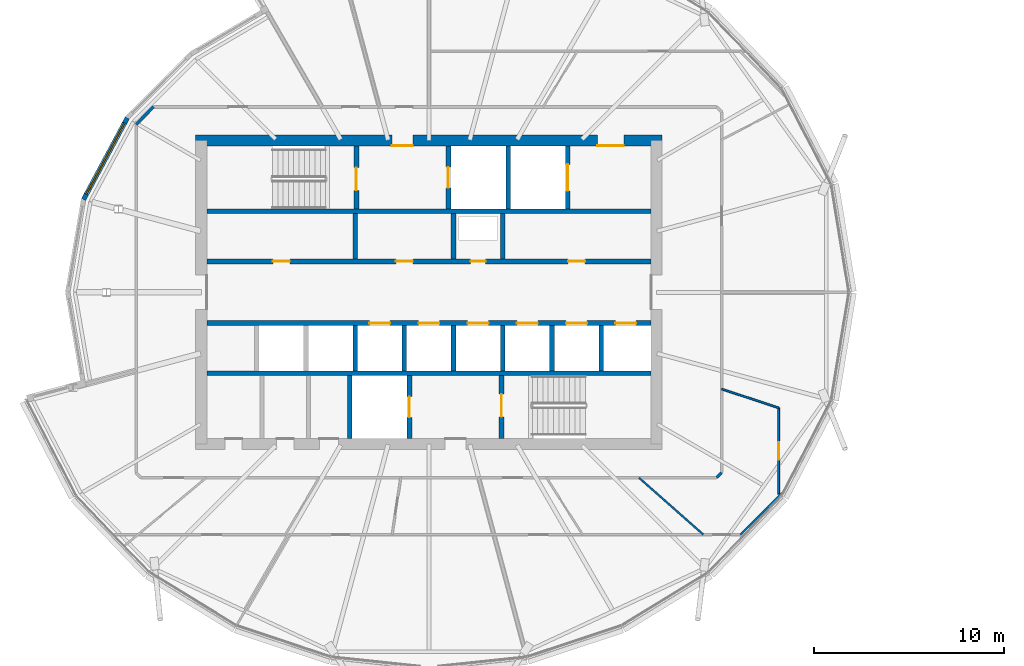
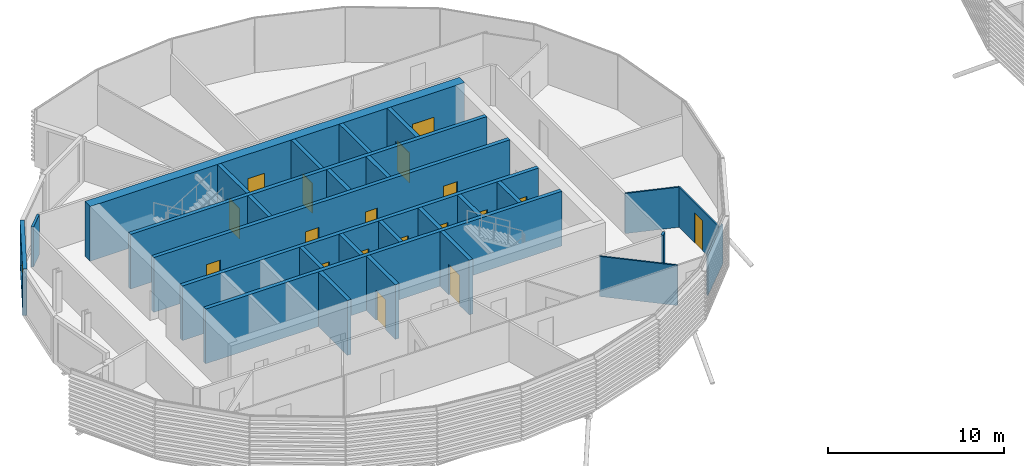
# One storey, part 19 of 37: 28 walls, 18 doors, 1 window, 19 openings.
"""IFC4 building model written with IfcOpenShell, lengths in metres."""

from ifc_helpers import new_model, si_unit, direction, frame, frame_2d, origin, place, context, subcontext, project, spatial, rectangle, extrude, material, layer, layer_set, type_object, element, fill, save


model = new_model("IFC4")

# Units and contexts
model_context = context("Model", 3, precision=1e-05, world=origin(), true_north=direction((0.0, 1.0)))
body_context = subcontext(model_context, "Body", "Model", "MODEL_VIEW")
ifc_project = project(units=[si_unit("LENGTHUNIT", "METRE"), si_unit("AREAUNIT", "SQUARE_METRE"), si_unit("VOLUMEUNIT", "CUBIC_METRE"), si_unit("PLANEANGLEUNIT", "RADIAN"), si_unit("MASSUNIT", "GRAM", prefix="KILO")], contexts=[model_context])

# Site, building, storey
site_placement = place(None, origin())
site = spatial("IfcSite", under=ifc_project, at=site_placement, CompositionType="ELEMENT")
building_placement = place(site_placement, origin())
building = spatial("IfcBuilding", under=site, at=building_placement, Name="Rimbun Link Towers", CompositionType="ELEMENT")
storey_placement = place(building_placement, frame((0.0, 0.0, 177.89990234375)))
storey = spatial("IfcBuildingStorey", under=building, at=storey_placement, Name="L43", CompositionType="ELEMENT", Elevation=177.89990234375)

# Wall, opening, window
ifc_material_1 = material(Name="Dark enamelled glass spandrel on insulated aluminium backpan", Category="aluminium")
ifc_layer_1 = layer(ifc_material_1, 0.25)
ifc_layer_set_1 = layer_set([ifc_layer_1], Name="CS dark enamelled spandrel wall 250")
wall_type_1 = type_object("IfcWallType", Name="CS dark enamelled spandrel wall 250", PredefinedType="STANDARD", material=ifc_layer_set_1)
wall_1_placement = place(storey_placement, frame((-49.9638671875, 4.889404296875, 0.0), z_axis=(0.0, 0.0, 1.0), x_axis=(0.472458338274, 0.881353004531, 0.0)))
wall_1 = element("IfcWall", 1, at=wall_1_placement, inside=storey, type_object=wall_type_1, Name="Crease spandrel wall", PredefinedType="STANDARD", context=body_context, shape_type="SweptSolid", body=[
    extrude(rectangle(XDim=4.889404296875, YDim=0.25, at=frame_2d((2.44482421875, 0.0))), origin(), (0.0, 0.0, 1.0), 3.233642578125),
])
opening_1_placement = place(wall_1_placement, frame((0.31982421875, 0.0, 0.300048828125)))
opening_1 = element("IfcOpeningElement", 2, at=opening_1_placement, cuts=wall_1, Name="Opening WR42H270", PredefinedType="OPENING", context=body_context, shape_type="SweptSolid", body=[
    extrude(rectangle(XDim=4.25, YDim=2.699951171875, at=frame_2d((2.125, 1.35009765625))), frame((0.0, 0.135009765625, 0.0), z_axis=(0.0, -1.0, 0.0), x_axis=(1.0, 0.0, 0.0)), (0.0, 0.0, 1.0), 0.27001953125),
])
ifc_material_2 = material(Name="Aluminium framed fixed window, dark tinted low-e glass", Category="aluminium")
window_type = type_object("IfcWindowType", Name="WR ribbon window 4250X2700", PartitioningType="SINGLE_PANEL", PredefinedType="WINDOW", material=ifc_material_2)
window_placement = place(opening_1_placement, origin())
window = element("IfcWindow", 3, at=window_placement, inside=storey, type_object=window_type, Name="Crease ribbon window", OverallHeight=2.699951171875, OverallWidth=4.25, PartitioningType="SINGLE_PANEL", PredefinedType="WINDOW", context=body_context, shape_type="SweptSolid", body=[
    extrude(rectangle(XDim=4.25, YDim=2.699951171875, at=frame_2d((2.125, 1.35009765625))), frame((0.0, 0.030029296875, 0.0), z_axis=(0.0, -1.0, 0.0), x_axis=(1.0, 0.0, 0.0)), (0.0, 0.0, 1.0), 0.06005859375),
])
fill(opening_1, window)

# Wall, openings, doors
ifc_material_3 = material(Name="Concrete C60/75", Category="concrete")
ifc_layer_2 = layer(ifc_material_3, 0.60009765625)
ifc_layer_set_2 = layer_set([ifc_layer_2], Name="Core shear wall 600")
wall_type_2 = type_object("IfcWallType", Name="Core shear wall 600", PredefinedType="SHEAR", material=ifc_layer_set_2)
wall_2_placement = place(storey_placement, frame((-44.050048828125, 8.0, 0.0), z_axis=(0.0, 0.0, 1.0), x_axis=(1.0, 0.0, 0.0)))
wall_2 = element("IfcWall", 4, at=wall_2_placement, inside=storey, type_object=wall_type_2, Name="L43 T1 core wall N", PredefinedType="SHEAR", context=body_context, shape_type="SweptSolid", body=[
    extrude(rectangle(XDim=24.60009765625, YDim=0.60009765625, at=frame_2d((12.300048828125, 0.0))), origin(), (0.0, 0.0, 1.0), 3.800048828125),
])
opening_2_placement = place(wall_2_placement, frame((10.35009765625, 0.0, 0.0)))
opening_2 = element("IfcOpeningElement", 5, at=opening_2_placement, cuts=wall_2, Name="Opening C1DCF01N", PredefinedType="OPENING", context=body_context, shape_type="SweptSolid", body=[
    extrude(rectangle(XDim=1.10009765625, YDim=2.10009765625, at=frame_2d((0.550048828125, 1.050048828125))), frame((0.0, 0.31005859375, 0.0), z_axis=(0.0, -1.0, 0.0), x_axis=(1.0, 0.0, 0.0)), (0.0, 0.0, 1.0), 0.6201171875),
])
opening_3_placement = place(wall_2_placement, frame((21.175048828125, 0.0, 0.0)))
opening_3 = element("IfcOpeningElement", 6, at=opening_3_placement, cuts=wall_2, Name="Opening C1DSL02N", PredefinedType="OPENING", context=body_context, shape_type="SweptSolid", body=[
    extrude(rectangle(XDim=1.39990234375, YDim=2.10009765625, at=frame_2d((0.699951171875, 1.050048828125))), frame((0.0, 0.31005859375, 0.0), z_axis=(0.0, -1.0, 0.0), x_axis=(1.0, 0.0, 0.0)), (0.0, 0.0, 1.0), 0.6201171875),
])
ifc_material_4 = material(Name="Steel fire door set", Category="steel")
door_type_1 = type_object("IfcDoorType", Name="Core fire door single", OperationType="SINGLE_SWING_LEFT", PredefinedType="DOOR", material=ifc_material_4)
door_1_placement = place(opening_2_placement, origin())
door_1 = element("IfcDoor", 7, at=door_1_placement, inside=storey, type_object=door_type_1, Name="L43 T1 firefighting lobby n door", OperationType="SINGLE_SWING_LEFT", OverallHeight=2.10009765625, OverallWidth=1.10009765625, PredefinedType="DOOR", context=body_context, shape_type="SweptSolid", body=[
    extrude(rectangle(XDim=1.10009765625, YDim=2.10009765625, at=frame_2d((0.550048828125, 1.050048828125))), frame((0.0, -0.25, 0.0), z_axis=(0.0, -1.0, 0.0), x_axis=(1.0, 0.0, 0.0)), (0.0, 0.0, 1.0), 0.050048828125),
])
fill(opening_2, door_1)
ifc_material_5 = material(Name="Steel fire door set", Category="steel")
door_type_2 = type_object("IfcDoorType", Name="Service lobby door double", OperationType="DOUBLE_DOOR_SINGLE_SWING", PredefinedType="DOOR", material=ifc_material_5)
door_2_placement = place(opening_3_placement, origin())
door_2 = element("IfcDoor", 8, at=door_2_placement, inside=storey, type_object=door_type_2, Name="L43 T1 service lobby door", OperationType="DOUBLE_DOOR_SINGLE_SWING", OverallHeight=2.10009765625, OverallWidth=1.39990234375, PredefinedType="DOOR", context=body_context, shape_type="SweptSolid", body=[
    extrude(rectangle(XDim=1.39990234375, YDim=2.10009765625, at=frame_2d((0.699951171875, 1.050048828125))), frame((0.0, -0.25, 0.0), z_axis=(0.0, -1.0, 0.0), x_axis=(1.0, 0.0, 0.0)), (0.0, 0.0, 1.0), 0.050048828125),
])
fill(opening_3, door_2)

# Walls
ifc_material_6 = material(Name="Plasterboard on steel stud, mineral wool", Category="steel")
ifc_layer_3 = layer(ifc_material_6, 0.14990234375)
ifc_layer_set_3 = layer_set([ifc_layer_3], Name="Corridor wall EI 30 150 mm")
wall_type_3 = type_object("IfcWallType", Name="Corridor wall EI 30 150 mm", PredefinedType="PARTITIONING", material=ifc_layer_set_3)
wall_3_placement = place(storey_placement, frame((-16.576416015625, -9.77490234375, 0.0), z_axis=(0.0, 0.0, 1.0), x_axis=(0.707436973419, 0.706776434695, 0.0)))
element("IfcWall", 9, at=wall_3_placement, inside=storey, type_object=wall_type_3, Name="Corridor wall EI 30 150 mm", PredefinedType="PARTITIONING", context=body_context, shape_type="SweptSolid", body=[
    extrude(rectangle(XDim=0.36962890625, YDim=0.14990234375, at=frame_2d((0.184814453125, 0.0))), origin(), (0.0, 0.0, 1.0), 2.7890625),
])
wall_4_placement = place(storey_placement, frame((-46.267578125, 9.77490234375, 0.0), z_axis=(0.0, 0.0, 1.0), x_axis=(-0.705978721468, -0.708233044155, 0.0)))
element("IfcWall", 10, at=wall_4_placement, inside=storey, type_object=wall_type_3, Name="Corridor wall EI 30 150 mm", PredefinedType="PARTITIONING", context=body_context, shape_type="SweptSolid", body=[
    extrude(rectangle(XDim=1.299560546875, YDim=0.14990234375, at=frame_2d((0.64990234375, 0.0))), origin(), (0.0, 0.0, 1.0), 2.7890625),
])
ifc_material_7 = material(Name="Plasterboard on steel stud", Category="steel")
ifc_layer_4 = layer(ifc_material_7, 0.10009765625)
ifc_layer_set_4 = layer_set([ifc_layer_4], Name="Plasterboard partition 100 mm")
wall_type_4 = type_object("IfcWallType", Name="Plasterboard partition 100 mm", PredefinedType="PARTITIONING", material=ifc_layer_set_4)
wall_5_placement = place(storey_placement, frame((-17.28271484375, -12.77490234375, 0.0), z_axis=(0.0, 0.0, 1.0), x_axis=(-0.749592579508, 0.661899512575, 0.0)))
element("IfcWall", 11, at=wall_5_placement, inside=storey, type_object=wall_type_4, Name="Plasterboard partition 100 mm", PredefinedType="PARTITIONING", context=body_context, shape_type="SweptSolid", body=[
    extrude(rectangle(XDim=4.532470703125, YDim=0.10009765625, at=frame_2d((2.26611328125, 0.0))), origin(), (0.0, 0.0, 1.0), 2.7890625),
])
wall_6_placement = place(storey_placement, frame((-15.333740234375, -12.77490234375, 0.0), z_axis=(0.0, 0.0, 1.0), x_axis=(0.707144615627, 0.707068944721, 0.0)))
element("IfcWall", 12, at=wall_6_placement, inside=storey, type_object=wall_type_4, Name="Plasterboard partition 100 mm", PredefinedType="PARTITIONING", context=body_context, shape_type="SweptSolid", body=[
    extrude(rectangle(XDim=3.226318359375, YDim=0.10009765625, at=frame_2d((1.61328125, 0.0))), origin(), (0.0, 0.0, 1.0), 2.7890625),
])

# Wall, opening, door
wall_7_placement = place(storey_placement, frame((-13.31494140625, -6.08984375, 0.0), z_axis=(0.0, 0.0, 1.0), x_axis=(0.0, -1.0, 0.0)))
wall_7 = element("IfcWall", 13, at=wall_7_placement, inside=storey, type_object=wall_type_4, Name="Plasterboard partition 100 mm", PredefinedType="PARTITIONING", context=body_context, shape_type="SweptSolid", body=[
    extrude(rectangle(XDim=4.5537109375, YDim=0.10009765625, at=frame_2d((2.27685546875, 0.0))), origin(), (0.0, 0.0, 1.0), 2.7890625),
])
opening_4_placement = place(wall_7_placement, frame((1.826904296875, 0.0, 0.0)))
opening_4 = element("IfcOpeningElement", 14, at=opening_4_placement, cuts=wall_7, Name="Opening D04", PredefinedType="OPENING", context=body_context, shape_type="SweptSolid", body=[
    extrude(rectangle(XDim=0.89990234375, YDim=2.10009765625, at=frame_2d((0.449951171875, 1.050048828125))), frame((0.0, 0.06005859375, 0.0), z_axis=(0.0, -1.0, 0.0), x_axis=(1.0, 0.0, 0.0)), (0.0, 0.0, 1.0), 0.1201171875),
])
ifc_material_8 = material(Name="Timber door leaf", Category="wood")
door_type_3 = type_object("IfcDoorType", Name="Flush door 900", OperationType="NOTDEFINED", PredefinedType="DOOR", material=ifc_material_8)
door_3_placement = place(opening_4_placement, origin())
door_3 = element("IfcDoor", 15, at=door_3_placement, inside=storey, type_object=door_type_3, Name="Flush door 900 to Project room", OperationType="SINGLE_SWING_RIGHT", OverallHeight=2.10009765625, OverallWidth=0.89990234375, PredefinedType="DOOR", context=body_context, shape_type="SweptSolid", body=[
    extrude(rectangle(XDim=0.89990234375, YDim=2.10009765625, at=frame_2d((0.449951171875, 1.050048828125))), frame((0.0, 0.02490234375, 0.0), z_axis=(0.0, -1.0, 0.0), x_axis=(1.0, 0.0, 0.0)), (0.0, 0.0, 1.0), 0.050048828125),
])
fill(opening_4, door_3)

# Walls
wall_8_placement = place(storey_placement, frame((-13.31494140625, -6.08984375, 0.0), z_axis=(0.0, 0.0, 1.0), x_axis=(-0.949537544807, 0.313653393097, 0.0)))
element("IfcWall", 16, at=wall_8_placement, inside=storey, type_object=wall_type_4, Name="Plasterboard partition 100 mm", PredefinedType="PARTITIONING", context=body_context, shape_type="SweptSolid", body=[
    extrude(rectangle(XDim=3.159423828125, YDim=0.10009765625, at=frame_2d((1.57958984375, 0.0))), origin(), (0.0, 0.0, 1.0), 2.7890625),
])
ifc_material_9 = material(Name="Concrete C60/75", Category="concrete")
ifc_layer_5 = layer(ifc_material_9, 0.25)
ifc_layer_set_5 = layer_set([ifc_layer_5], Name="Shaft wall 250")
wall_type_5 = type_object("IfcWallType", Name="Shaft wall 250", PredefinedType="SHEAR", material=ifc_layer_set_5)
for number, where, z_axis, x_axis, name in (
    (17, (-43.449951171875, 4.27490234375, 0.0), (0.0, 0.0, 1.0), (1.0, 0.0, 0.0), "L43 T1 core wall BN"),
    (18, (-43.449951171875, -4.27490234375, 0.0), (0.0, 0.0, 1.0), (1.0, 0.0, 0.0), "L43 T1 core wall BS"),
):
    element("IfcWall", number, at=place(storey_placement, frame(where, z_axis=z_axis, x_axis=x_axis)), inside=storey, type_object=wall_type_5, Name=name, PredefinedType="SHEAR", context=body_context, shape_type="SweptSolid", body=[
        extrude(rectangle(XDim=23.39990234375, YDim=0.25, at=frame_2d((11.699951171875, 0.0))), origin(), (0.0, 0.0, 1.0), 3.800048828125),
    ])

# Wall, openings, doors
wall_9_placement = place(storey_placement, frame((-43.449951171875, 1.625, 0.0), z_axis=(0.0, 0.0, 1.0), x_axis=(1.0, 0.0, 0.0)))
wall_9 = element("IfcWall", 19, at=wall_9_placement, inside=storey, type_object=wall_type_5, Name="L43 T1 core wall FN", PredefinedType="SHEAR", context=body_context, shape_type="SweptSolid", body=[
    extrude(rectangle(XDim=23.39990234375, YDim=0.25, at=frame_2d((11.699951171875, 0.0))), origin(), (0.0, 0.0, 1.0), 3.800048828125),
])
opening_5_placement = place(wall_9_placement, frame((3.466796875, 0.0, 0.0)))
opening_5 = element("IfcOpeningElement", 20, at=opening_5_placement, cuts=wall_9, Name="Opening C1DRS01FN", PredefinedType="OPENING", context=body_context, shape_type="SweptSolid", body=[
    extrude(rectangle(XDim=0.89990234375, YDim=2.10009765625, at=frame_2d((0.449951171875, 1.050048828125))), frame((0.0, 0.135009765625, 0.0), z_axis=(0.0, -1.0, 0.0), x_axis=(1.0, 0.0, 0.0)), (0.0, 0.0, 1.0), 0.27001953125),
])
opening_6_placement = place(wall_9_placement, frame((9.952880859375, 0.0, 0.0)))
opening_6 = element("IfcOpeningElement", 21, at=opening_6_placement, cuts=wall_9, Name="Opening C1DRS02FN", PredefinedType="OPENING", context=body_context, shape_type="SweptSolid", body=[
    extrude(rectangle(XDim=0.89990234375, YDim=2.10009765625, at=frame_2d((0.449951171875, 1.050048828125))), frame((0.0, 0.135009765625, 0.0), z_axis=(0.0, -1.0, 0.0), x_axis=(1.0, 0.0, 0.0)), (0.0, 0.0, 1.0), 0.27001953125),
])
opening_7_placement = place(wall_9_placement, frame((13.894287109375, 0.0, 0.0)))
opening_7 = element("IfcOpeningElement", 22, at=opening_7_placement, cuts=wall_9, Name="Opening C1DRA03FN", PredefinedType="OPENING", context=body_context, shape_type="SweptSolid", body=[
    extrude(rectangle(XDim=0.800048828125, YDim=2.10009765625, at=frame_2d((0.39990234375, 1.050048828125))), frame((0.0, 0.135009765625, 0.0), z_axis=(0.0, -1.0, 0.0), x_axis=(1.0, 0.0, 0.0)), (0.0, 0.0, 1.0), 0.27001953125),
])
opening_8_placement = place(wall_9_placement, frame((19.033203125, 0.0, 0.0)))
opening_8 = element("IfcOpeningElement", 23, at=opening_8_placement, cuts=wall_9, Name="Opening C1DRS04FN", PredefinedType="OPENING", context=body_context, shape_type="SweptSolid", body=[
    extrude(rectangle(XDim=0.89990234375, YDim=2.10009765625, at=frame_2d((0.449951171875, 1.050048828125))), frame((0.0, 0.135009765625, 0.0), z_axis=(0.0, -1.0, 0.0), x_axis=(1.0, 0.0, 0.0)), (0.0, 0.0, 1.0), 0.27001953125),
])
ifc_material_10 = material(Name="Steel fire door set", Category="steel")
door_type_4 = type_object("IfcDoorType", Name="Core riser door", OperationType="SINGLE_SWING_LEFT", PredefinedType="DOOR", material=ifc_material_10)
door_4_placement = place(opening_5_placement, origin())
door_4 = element("IfcDoor", 24, at=door_4_placement, inside=storey, type_object=door_type_4, Name="L43 T1 plant room door", OperationType="SINGLE_SWING_LEFT", OverallHeight=2.10009765625, OverallWidth=0.89990234375, PredefinedType="DOOR", context=body_context, shape_type="SweptSolid", body=[
    extrude(rectangle(XDim=0.89990234375, YDim=2.10009765625, at=frame_2d((0.449951171875, 1.050048828125))), frame((0.0, 0.02490234375, 0.0), z_axis=(0.0, -1.0, 0.0), x_axis=(1.0, 0.0, 0.0)), (0.0, 0.0, 1.0), 0.050048828125),
])
fill(opening_5, door_4)
door_5_placement = place(opening_6_placement, origin())
door_5 = element("IfcDoor", 25, at=door_5_placement, inside=storey, type_object=door_type_4, Name="L43 T1 pantry door", OperationType="SINGLE_SWING_LEFT", OverallHeight=2.10009765625, OverallWidth=0.89990234375, PredefinedType="DOOR", context=body_context, shape_type="SweptSolid", body=[
    extrude(rectangle(XDim=0.89990234375, YDim=2.10009765625, at=frame_2d((0.449951171875, 1.050048828125))), frame((0.0, 0.02490234375, 0.0), z_axis=(0.0, -1.0, 0.0), x_axis=(1.0, 0.0, 0.0)), (0.0, 0.0, 1.0), 0.050048828125),
])
fill(opening_6, door_5)
door_6_placement = place(opening_8_placement, origin())
door_6 = element("IfcDoor", 26, at=door_6_placement, inside=storey, type_object=door_type_4, Name="L43 T1 plant room door", OperationType="SINGLE_SWING_RIGHT", OverallHeight=2.10009765625, OverallWidth=0.89990234375, PredefinedType="DOOR", context=body_context, shape_type="SweptSolid", body=[
    extrude(rectangle(XDim=0.89990234375, YDim=2.10009765625, at=frame_2d((0.449951171875, 1.050048828125))), frame((0.0, 0.02490234375, 0.0), z_axis=(0.0, -1.0, 0.0), x_axis=(1.0, 0.0, 0.0)), (0.0, 0.0, 1.0), 0.050048828125),
])
fill(opening_8, door_6)
ifc_material_11 = material(Name="Steel fire door set", Category="steel")
door_type_5 = type_object("IfcDoorType", Name="Riser access door 800 x 2100", OperationType="SINGLE_SWING_LEFT", PredefinedType="DOOR", material=ifc_material_11)
door_7_placement = place(opening_7_placement, origin())
door_7 = element("IfcDoor", 27, at=door_7_placement, inside=storey, type_object=door_type_5, Name="L43 T1 riser cupboard door", OperationType="SINGLE_SWING_LEFT", OverallHeight=2.10009765625, OverallWidth=0.800048828125, PredefinedType="DOOR", context=body_context, shape_type="SweptSolid", body=[
    extrude(rectangle(XDim=0.800048828125, YDim=2.10009765625, at=frame_2d((0.39990234375, 1.050048828125))), frame((0.0, 0.02490234375, 0.0), z_axis=(0.0, -1.0, 0.0), x_axis=(1.0, 0.0, 0.0)), (0.0, 0.0, 1.0), 0.050048828125),
])
fill(opening_7, door_7)

wall_10_placement = place(storey_placement, frame((-43.449951171875, -1.625, 0.0), z_axis=(0.0, 0.0, 1.0), x_axis=(1.0, 0.0, 0.0)))
wall_10 = element("IfcWall", 28, at=wall_10_placement, inside=storey, type_object=wall_type_5, Name="L43 T1 core wall FS", PredefinedType="SHEAR", context=body_context, shape_type="SweptSolid", body=[
    extrude(rectangle(XDim=23.39990234375, YDim=0.25, at=frame_2d((11.699951171875, 0.0))), origin(), (0.0, 0.0, 1.0), 3.800048828125),
])
opening_9_placement = place(wall_10_placement, frame((8.5556640625, 0.0, 0.0)))
opening_9 = element("IfcOpeningElement", 29, at=opening_9_placement, cuts=wall_10, Name="Opening LD-T1-HR1", PredefinedType="OPENING", context=body_context, shape_type="SweptSolid", body=[
    extrude(rectangle(XDim=1.10009765625, YDim=2.10009765625, at=frame_2d((0.550048828125, 1.050048828125))), frame((0.0, 0.135009765625, 0.0), z_axis=(0.0, -1.0, 0.0), x_axis=(1.0, 0.0, 0.0)), (0.0, 0.0, 1.0), 0.27001953125),
])
opening_10_placement = place(wall_10_placement, frame((11.14990234375, 0.0, 0.0)))
opening_10 = element("IfcOpeningElement", 30, at=opening_10_placement, cuts=wall_10, Name="Opening LD-T1-HR2", PredefinedType="OPENING", context=body_context, shape_type="SweptSolid", body=[
    extrude(rectangle(XDim=1.10009765625, YDim=2.10009765625, at=frame_2d((0.550048828125, 1.050048828125))), frame((0.0, 0.135009765625, 0.0), z_axis=(0.0, -1.0, 0.0), x_axis=(1.0, 0.0, 0.0)), (0.0, 0.0, 1.0), 0.27001953125),
])
opening_11_placement = place(wall_10_placement, frame((13.744384765625, 0.0, 0.0)))
opening_11 = element("IfcOpeningElement", 31, at=opening_11_placement, cuts=wall_10, Name="Opening LD-T1-HR3", PredefinedType="OPENING", context=body_context, shape_type="SweptSolid", body=[
    extrude(rectangle(XDim=1.10009765625, YDim=2.10009765625, at=frame_2d((0.550048828125, 1.050048828125))), frame((0.0, 0.135009765625, 0.0), z_axis=(0.0, -1.0, 0.0), x_axis=(1.0, 0.0, 0.0)), (0.0, 0.0, 1.0), 0.27001953125),
])
opening_12_placement = place(wall_10_placement, frame((16.3388671875, 0.0, 0.0)))
opening_12 = element("IfcOpeningElement", 32, at=opening_12_placement, cuts=wall_10, Name="Opening LD-T1-HR4", PredefinedType="OPENING", context=body_context, shape_type="SweptSolid", body=[
    extrude(rectangle(XDim=1.10009765625, YDim=2.10009765625, at=frame_2d((0.550048828125, 1.050048828125))), frame((0.0, 0.135009765625, 0.0), z_axis=(0.0, -1.0, 0.0), x_axis=(1.0, 0.0, 0.0)), (0.0, 0.0, 1.0), 0.27001953125),
])
opening_13_placement = place(wall_10_placement, frame((18.933349609375, 0.0, 0.0)))
opening_13 = element("IfcOpeningElement", 33, at=opening_13_placement, cuts=wall_10, Name="Opening LD-T1-HR5", PredefinedType="OPENING", context=body_context, shape_type="SweptSolid", body=[
    extrude(rectangle(XDim=1.10009765625, YDim=2.10009765625, at=frame_2d((0.550048828125, 1.050048828125))), frame((0.0, 0.135009765625, 0.0), z_axis=(0.0, -1.0, 0.0), x_axis=(1.0, 0.0, 0.0)), (0.0, 0.0, 1.0), 0.27001953125),
])
opening_14_placement = place(wall_10_placement, frame((21.52783203125, 0.0, 0.0)))
opening_14 = element("IfcOpeningElement", 34, at=opening_14_placement, cuts=wall_10, Name="Opening LD-T1-HR6", PredefinedType="OPENING", context=body_context, shape_type="SweptSolid", body=[
    extrude(rectangle(XDim=1.10009765625, YDim=2.10009765625, at=frame_2d((0.550048828125, 1.050048828125))), frame((0.0, 0.135009765625, 0.0), z_axis=(0.0, -1.0, 0.0), x_axis=(1.0, 0.0, 0.0)), (0.0, 0.0, 1.0), 0.27001953125),
])
ifc_material_12 = material(Name="Stainless steel grade 316", Category="steel")
door_type_6 = type_object("IfcDoorType", Name="Lift landing door", OperationType="DOUBLE_DOOR_SLIDING", PredefinedType="DOOR", material=ifc_material_12)
door_8_placement = place(opening_9_placement, origin())
door_8 = element("IfcDoor", 35, at=door_8_placement, inside=storey, type_object=door_type_6, Name="L43 T1 lift HR1 landing door", OperationType="DOUBLE_DOOR_SLIDING", OverallHeight=2.10009765625, OverallWidth=1.10009765625, PredefinedType="DOOR", context=body_context, shape_type="SweptSolid", body=[
    extrude(rectangle(XDim=1.10009765625, YDim=2.10009765625, at=frame_2d((0.550048828125, 1.050048828125))), frame((0.0, 0.02490234375, 0.0), z_axis=(0.0, -1.0, 0.0), x_axis=(1.0, 0.0, 0.0)), (0.0, 0.0, 1.0), 0.050048828125),
])
fill(opening_9, door_8)
door_9_placement = place(opening_10_placement, origin())
door_9 = element("IfcDoor", 36, at=door_9_placement, inside=storey, type_object=door_type_6, Name="L43 T1 lift HR2 landing door", OperationType="DOUBLE_DOOR_SLIDING", OverallHeight=2.10009765625, OverallWidth=1.10009765625, PredefinedType="DOOR", context=body_context, shape_type="SweptSolid", body=[
    extrude(rectangle(XDim=1.10009765625, YDim=2.10009765625, at=frame_2d((0.550048828125, 1.050048828125))), frame((0.0, 0.02490234375, 0.0), z_axis=(0.0, -1.0, 0.0), x_axis=(1.0, 0.0, 0.0)), (0.0, 0.0, 1.0), 0.050048828125),
])
fill(opening_10, door_9)
door_10_placement = place(opening_11_placement, origin())
door_10 = element("IfcDoor", 37, at=door_10_placement, inside=storey, type_object=door_type_6, Name="L43 T1 lift HR3 landing door", OperationType="DOUBLE_DOOR_SLIDING", OverallHeight=2.10009765625, OverallWidth=1.10009765625, PredefinedType="DOOR", context=body_context, shape_type="SweptSolid", body=[
    extrude(rectangle(XDim=1.10009765625, YDim=2.10009765625, at=frame_2d((0.550048828125, 1.050048828125))), frame((0.0, 0.02490234375, 0.0), z_axis=(0.0, -1.0, 0.0), x_axis=(1.0, 0.0, 0.0)), (0.0, 0.0, 1.0), 0.050048828125),
])
fill(opening_11, door_10)
door_11_placement = place(opening_12_placement, origin())
door_11 = element("IfcDoor", 38, at=door_11_placement, inside=storey, type_object=door_type_6, Name="L43 T1 lift HR4 landing door", OperationType="DOUBLE_DOOR_SLIDING", OverallHeight=2.10009765625, OverallWidth=1.10009765625, PredefinedType="DOOR", context=body_context, shape_type="SweptSolid", body=[
    extrude(rectangle(XDim=1.10009765625, YDim=2.10009765625, at=frame_2d((0.550048828125, 1.050048828125))), frame((0.0, 0.02490234375, 0.0), z_axis=(0.0, -1.0, 0.0), x_axis=(1.0, 0.0, 0.0)), (0.0, 0.0, 1.0), 0.050048828125),
])
fill(opening_12, door_11)
door_12_placement = place(opening_13_placement, origin())
door_12 = element("IfcDoor", 39, at=door_12_placement, inside=storey, type_object=door_type_6, Name="L43 T1 lift HR5 landing door", OperationType="DOUBLE_DOOR_SLIDING", OverallHeight=2.10009765625, OverallWidth=1.10009765625, PredefinedType="DOOR", context=body_context, shape_type="SweptSolid", body=[
    extrude(rectangle(XDim=1.10009765625, YDim=2.10009765625, at=frame_2d((0.550048828125, 1.050048828125))), frame((0.0, 0.02490234375, 0.0), z_axis=(0.0, -1.0, 0.0), x_axis=(1.0, 0.0, 0.0)), (0.0, 0.0, 1.0), 0.050048828125),
])
fill(opening_13, door_12)
door_13_placement = place(opening_14_placement, origin())
door_13 = element("IfcDoor", 40, at=door_13_placement, inside=storey, type_object=door_type_6, Name="L43 T1 lift HR6 landing door", OperationType="DOUBLE_DOOR_SLIDING", OverallHeight=2.10009765625, OverallWidth=1.10009765625, PredefinedType="DOOR", context=body_context, shape_type="SweptSolid", body=[
    extrude(rectangle(XDim=1.10009765625, YDim=2.10009765625, at=frame_2d((0.550048828125, 1.050048828125))), frame((0.0, 0.02490234375, 0.0), z_axis=(0.0, -1.0, 0.0), x_axis=(1.0, 0.0, 0.0)), (0.0, 0.0, 1.0), 0.050048828125),
])
fill(opening_14, door_13)

# Walls
for number, where, z_axis, x_axis, name in (
    (41, (-35.6416015625, 1.75, 0.0), (0.0, 0.0, 1.0), (0.0, 1.0, 0.0), "L43 T1 core wall DN2"),
    (42, (-30.452880859375, 1.75, 0.0), (0.0, 0.0, 1.0), (0.0, 1.0, 0.0), "L43 T1 core wall DN4"),
    (43, (-27.8583984375, 1.75, 0.0), (0.0, 0.0, 1.0), (0.0, 1.0, 0.0), "L43 T1 core wall DN5"),
    (44, (-35.6416015625, -4.14990234375, 0.0), (0.0, 0.0, 1.0), (0.0, 1.0, 0.0), "L43 T1 core wall DS2"),
    (45, (-33.047119140625, -4.14990234375, 0.0), (0.0, 0.0, 1.0), (0.0, 1.0, 0.0), "L43 T1 core wall DS3"),
    (46, (-30.452880859375, -4.14990234375, 0.0), (0.0, 0.0, 1.0), (0.0, 1.0, 0.0), "L43 T1 core wall DS4"),
    (47, (-27.8583984375, -4.14990234375, 0.0), (0.0, 0.0, 1.0), (0.0, 1.0, 0.0), "L43 T1 core wall DS5"),
    (48, (-25.263916015625, -4.14990234375, 0.0), (0.0, 0.0, 1.0), (0.0, 1.0, 0.0), "L43 T1 core wall DS6"),
    (49, (-22.66943359375, -4.14990234375, 0.0), (0.0, 0.0, 1.0), (0.0, 1.0, 0.0), "L43 T1 core wall DS7"),
):
    element("IfcWall", number, at=place(storey_placement, frame(where, z_axis=z_axis, x_axis=x_axis)), inside=storey, type_object=wall_type_5, Name=name, PredefinedType="SHEAR", context=body_context, shape_type="SweptSolid", body=[
        extrude(rectangle(XDim=2.39990234375, YDim=0.25, at=frame_2d((1.199951171875, 0.0))), origin(), (0.0, 0.0, 1.0), 3.800048828125),
    ])

# Wall, opening, door
wall_11_placement = place(storey_placement, frame((-35.574951171875, 4.39990234375, 0.0), z_axis=(0.0, 0.0, 1.0), x_axis=(0.0, 1.0, 0.0)))
wall_11 = element("IfcWall", 50, at=wall_11_placement, inside=storey, type_object=wall_type_5, Name="L43 T1 core wall A1", PredefinedType="SHEAR", context=body_context, shape_type="SweptSolid", body=[
    extrude(rectangle(XDim=3.300048828125, YDim=0.25, at=frame_2d((1.64990234375, 0.0))), origin(), (0.0, 0.0, 1.0), 3.800048828125),
])
opening_15_placement = place(wall_11_placement, frame((0.97509765625, 0.0, 0.0)))
opening_15 = element("IfcOpeningElement", 51, at=opening_15_placement, cuts=wall_11, Name="Opening C1DST01A1", PredefinedType="OPENING", context=body_context, shape_type="SweptSolid", body=[
    extrude(rectangle(XDim=1.199951171875, YDim=2.10009765625, at=frame_2d((0.60009765625, 1.050048828125))), frame((0.0, 0.135009765625, 0.0), z_axis=(0.0, -1.0, 0.0), x_axis=(1.0, 0.0, 0.0)), (0.0, 0.0, 1.0), 0.27001953125),
])
ifc_material_13 = material(Name="Steel fire door set", Category="steel")
door_type_7 = type_object("IfcDoorType", Name="Stair door", OperationType="SINGLE_SWING_LEFT", PredefinedType="DOOR", material=ifc_material_13)
door_14_placement = place(opening_15_placement, origin())
door_14 = element("IfcDoor", 52, at=door_14_placement, inside=storey, type_object=door_type_7, Name="L43 T1 stair a door", OperationType="SINGLE_SWING_RIGHT", OverallHeight=2.10009765625, OverallWidth=1.199951171875, PredefinedType="DOOR", context=body_context, shape_type="SweptSolid", body=[
    extrude(rectangle(XDim=1.199951171875, YDim=2.10009765625, at=frame_2d((0.60009765625, 1.050048828125))), frame((0.0, 0.02490234375, 0.0), z_axis=(0.0, -1.0, 0.0), x_axis=(1.0, 0.0, 0.0)), (0.0, 0.0, 1.0), 0.050048828125),
])
fill(opening_15, door_14)

wall_12_placement = place(storey_placement, frame((-30.72509765625, 4.39990234375, 0.0), z_axis=(0.0, 0.0, 1.0), x_axis=(0.0, 1.0, 0.0)))
wall_12 = element("IfcWall", 53, at=wall_12_placement, inside=storey, type_object=wall_type_5, Name="L43 T1 core wall A2", PredefinedType="SHEAR", context=body_context, shape_type="SweptSolid", body=[
    extrude(rectangle(XDim=3.300048828125, YDim=0.25, at=frame_2d((1.64990234375, 0.0))), origin(), (0.0, 0.0, 1.0), 3.800048828125),
])
opening_16_placement = place(wall_12_placement, frame((1.10009765625, 0.0, 0.0)))
opening_16 = element("IfcOpeningElement", 54, at=opening_16_placement, cuts=wall_12, Name="Opening LD-T1-FF1", PredefinedType="OPENING", context=body_context, shape_type="SweptSolid", body=[
    extrude(rectangle(XDim=1.10009765625, YDim=2.10009765625, at=frame_2d((0.550048828125, 1.050048828125))), frame((0.0, 0.135009765625, 0.0), z_axis=(0.0, -1.0, 0.0), x_axis=(1.0, 0.0, 0.0)), (0.0, 0.0, 1.0), 0.27001953125),
])
door_15_placement = place(opening_16_placement, origin())
door_15 = element("IfcDoor", 55, at=door_15_placement, inside=storey, type_object=door_type_6, Name="L43 T1 lift FF1 landing door", OperationType="DOUBLE_DOOR_SLIDING", OverallHeight=2.10009765625, OverallWidth=1.10009765625, PredefinedType="DOOR", context=body_context, shape_type="SweptSolid", body=[
    extrude(rectangle(XDim=1.10009765625, YDim=2.10009765625, at=frame_2d((0.550048828125, 1.050048828125))), frame((0.0, 0.02490234375, 0.0), z_axis=(0.0, -1.0, 0.0), x_axis=(1.0, 0.0, 0.0)), (0.0, 0.0, 1.0), 0.050048828125),
])
fill(opening_16, door_15)

# Wall
wall_13_placement = place(storey_placement, frame((-27.574951171875, 4.39990234375, 0.0), z_axis=(0.0, 0.0, 1.0), x_axis=(0.0, 1.0, 0.0)))
element("IfcWall", 56, at=wall_13_placement, inside=storey, type_object=wall_type_5, Name="L43 T1 core wall A3", PredefinedType="SHEAR", context=body_context, shape_type="SweptSolid", body=[
    extrude(rectangle(XDim=3.300048828125, YDim=0.25, at=frame_2d((1.64990234375, 0.0))), origin(), (0.0, 0.0, 1.0), 3.800048828125),
])

# Wall, opening, door
wall_14_placement = place(storey_placement, frame((-24.425048828125, 4.39990234375, 0.0), z_axis=(0.0, 0.0, 1.0), x_axis=(0.0, 1.0, 0.0)))
wall_14 = element("IfcWall", 57, at=wall_14_placement, inside=storey, type_object=wall_type_5, Name="L43 T1 core wall A4", PredefinedType="SHEAR", context=body_context, shape_type="SweptSolid", body=[
    extrude(rectangle(XDim=3.300048828125, YDim=0.25, at=frame_2d((1.64990234375, 0.0))), origin(), (0.0, 0.0, 1.0), 3.800048828125),
])
opening_17_placement = place(wall_14_placement, frame((0.949951171875, 0.0, 0.0)))
opening_17 = element("IfcOpeningElement", 58, at=opening_17_placement, cuts=wall_14, Name="Opening LD-T1-GL1", PredefinedType="OPENING", context=body_context, shape_type="SweptSolid", body=[
    extrude(rectangle(XDim=1.39990234375, YDim=2.10009765625, at=frame_2d((0.699951171875, 1.050048828125))), frame((0.0, 0.135009765625, 0.0), z_axis=(0.0, -1.0, 0.0), x_axis=(1.0, 0.0, 0.0)), (0.0, 0.0, 1.0), 0.27001953125),
])
ifc_material_14 = material(Name="Stainless steel grade 316", Category="steel")
door_type_8 = type_object("IfcDoorType", Name="Goods lift landing door", OperationType="DOUBLE_DOOR_SLIDING", PredefinedType="DOOR", material=ifc_material_14)
door_16_placement = place(opening_17_placement, origin())
door_16 = element("IfcDoor", 59, at=door_16_placement, inside=storey, type_object=door_type_8, Name="L43 T1 lift GL1 landing door", OperationType="DOUBLE_DOOR_SLIDING", OverallHeight=2.10009765625, OverallWidth=1.39990234375, PredefinedType="DOOR", context=body_context, shape_type="SweptSolid", body=[
    extrude(rectangle(XDim=1.39990234375, YDim=2.10009765625, at=frame_2d((0.699951171875, 1.050048828125))), frame((0.0, 0.02490234375, 0.0), z_axis=(0.0, -1.0, 0.0), x_axis=(1.0, 0.0, 0.0)), (0.0, 0.0, 1.0), 0.050048828125),
])
fill(opening_17, door_16)

wall_15_placement = place(storey_placement, frame((-27.925048828125, -4.39990234375, 0.0), z_axis=(0.0, 0.0, 1.0), x_axis=(0.0, -1.0, 0.0)))
wall_15 = element("IfcWall", 60, at=wall_15_placement, inside=storey, type_object=wall_type_5, Name="L43 T1 core wall B1", PredefinedType="SHEAR", context=body_context, shape_type="SweptSolid", body=[
    extrude(rectangle(XDim=3.300048828125, YDim=0.25, at=frame_2d((1.64990234375, 0.0))), origin(), (0.0, 0.0, 1.0), 3.800048828125),
])
opening_18_placement = place(wall_15_placement, frame((0.97509765625, 0.0, 0.0)))
opening_18 = element("IfcOpeningElement", 61, at=opening_18_placement, cuts=wall_15, Name="Opening C1DST01B1", PredefinedType="OPENING", context=body_context, shape_type="SweptSolid", body=[
    extrude(rectangle(XDim=1.199951171875, YDim=2.10009765625, at=frame_2d((0.60009765625, 1.050048828125))), frame((0.0, 0.135009765625, 0.0), z_axis=(0.0, -1.0, 0.0), x_axis=(1.0, 0.0, 0.0)), (0.0, 0.0, 1.0), 0.27001953125),
])
door_17_placement = place(opening_18_placement, origin())
door_17 = element("IfcDoor", 62, at=door_17_placement, inside=storey, type_object=door_type_7, Name="L43 T1 stair b door", OperationType="SINGLE_SWING_LEFT", OverallHeight=2.10009765625, OverallWidth=1.199951171875, PredefinedType="DOOR", context=body_context, shape_type="SweptSolid", body=[
    extrude(rectangle(XDim=1.199951171875, YDim=2.10009765625, at=frame_2d((0.60009765625, 1.050048828125))), frame((0.0, 0.02490234375, 0.0), z_axis=(0.0, -1.0, 0.0), x_axis=(1.0, 0.0, 0.0)), (0.0, 0.0, 1.0), 0.050048828125),
])
fill(opening_18, door_17)

wall_16_placement = place(storey_placement, frame((-32.77490234375, -4.39990234375, 0.0), z_axis=(0.0, 0.0, 1.0), x_axis=(0.0, -1.0, 0.0)))
wall_16 = element("IfcWall", 63, at=wall_16_placement, inside=storey, type_object=wall_type_5, Name="L43 T1 core wall B2", PredefinedType="SHEAR", context=body_context, shape_type="SweptSolid", body=[
    extrude(rectangle(XDim=3.300048828125, YDim=0.25, at=frame_2d((1.64990234375, 0.0))), origin(), (0.0, 0.0, 1.0), 3.800048828125),
])
opening_19_placement = place(wall_16_placement, frame((1.10009765625, 0.0, 0.0)))
opening_19 = element("IfcOpeningElement", 64, at=opening_19_placement, cuts=wall_16, Name="Opening LD-T1-FF2", PredefinedType="OPENING", context=body_context, shape_type="SweptSolid", body=[
    extrude(rectangle(XDim=1.10009765625, YDim=2.10009765625, at=frame_2d((0.550048828125, 1.050048828125))), frame((0.0, 0.135009765625, 0.0), z_axis=(0.0, -1.0, 0.0), x_axis=(1.0, 0.0, 0.0)), (0.0, 0.0, 1.0), 0.27001953125),
])
door_18_placement = place(opening_19_placement, origin())
door_18 = element("IfcDoor", 65, at=door_18_placement, inside=storey, type_object=door_type_6, Name="L43 T1 lift FF2 landing door", OperationType="DOUBLE_DOOR_SLIDING", OverallHeight=2.10009765625, OverallWidth=1.10009765625, PredefinedType="DOOR", context=body_context, shape_type="SweptSolid", body=[
    extrude(rectangle(XDim=1.10009765625, YDim=2.10009765625, at=frame_2d((0.550048828125, 1.050048828125))), frame((0.0, 0.02490234375, 0.0), z_axis=(0.0, -1.0, 0.0), x_axis=(1.0, 0.0, 0.0)), (0.0, 0.0, 1.0), 0.050048828125),
])
fill(opening_19, door_18)

# Wall
wall_17_placement = place(storey_placement, frame((-35.925048828125, -4.39990234375, 0.0), z_axis=(0.0, 0.0, 1.0), x_axis=(0.0, -1.0, 0.0)))
element("IfcWall", 66, at=wall_17_placement, inside=storey, type_object=wall_type_5, Name="L43 T1 core wall B3", PredefinedType="SHEAR", context=body_context, shape_type="SweptSolid", body=[
    extrude(rectangle(XDim=3.300048828125, YDim=0.25, at=frame_2d((1.64990234375, 0.0))), origin(), (0.0, 0.0, 1.0), 3.800048828125),
])

save(model, "model.ifc")
